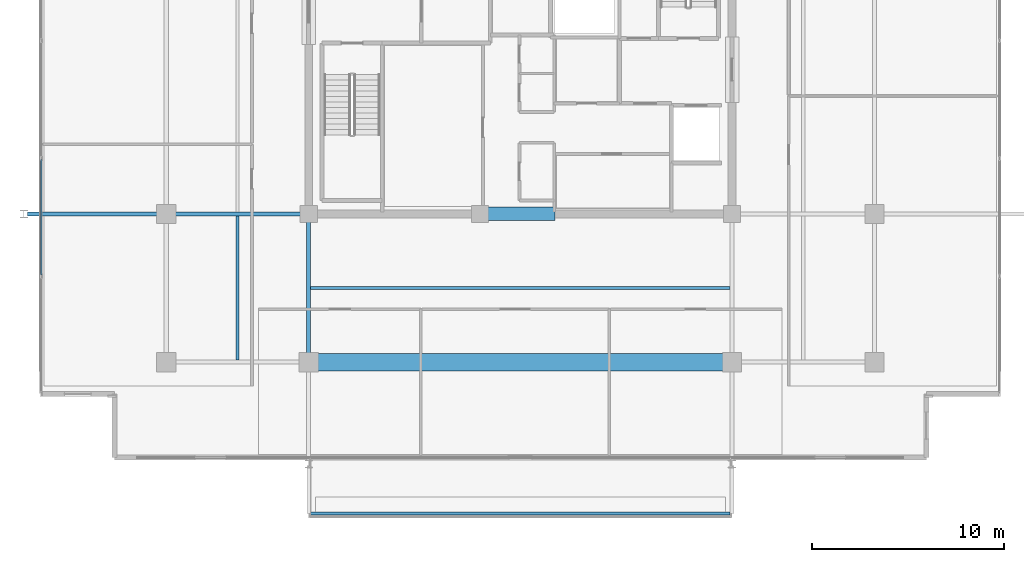
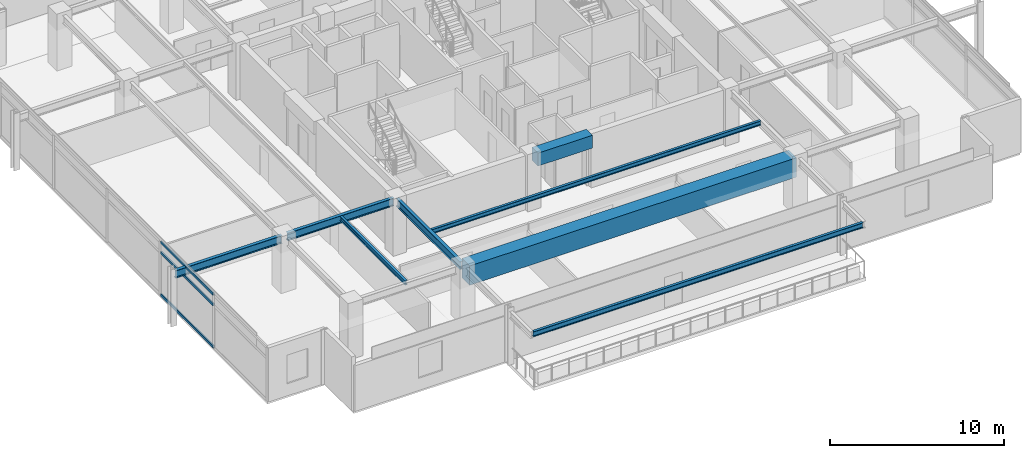
# One storey, part 3 of 20: 8 beams, 3 members, 1 element without a shape of its own.
"""IFC4 building model written with IfcOpenShell, lengths in metres."""

from ifc_helpers import new_model, si_unit, direction, frame, origin, origin_2d, place, context, subcontext, project, spatial, rectangle, hollow_rectangle, i_section, extrude, material, material_profile, profile_set, type_object, element, aggregate, save


model = new_model("IFC4")

# Units and contexts
model_context = context("Model", 3, precision=1e-05, world=origin(), true_north=direction((0.0, 1.0)))
body_context = subcontext(model_context, "Body", "Model", "MODEL_VIEW")
ifc_project = project(units=[si_unit("LENGTHUNIT", "METRE"), si_unit("AREAUNIT", "SQUARE_METRE"), si_unit("VOLUMEUNIT", "CUBIC_METRE"), si_unit("PLANEANGLEUNIT", "RADIAN"), si_unit("MASSUNIT", "GRAM", prefix="KILO")], contexts=[model_context])

# Site, building, storey
site_placement = place(None, origin())
site = spatial("IfcSite", under=ifc_project, at=site_placement, CompositionType="ELEMENT")
building_placement = place(site_placement, origin())
building = spatial("IfcBuilding", under=site, at=building_placement, Name="Kovane Verandah Tower", CompositionType="ELEMENT")
storey_placement = place(building_placement, frame((0.0, 0.0, 322.800048828125)))
storey = spatial("IfcBuildingStorey", under=building, at=storey_placement, Name="L75", CompositionType="ELEMENT", Elevation=322.800048828125)

# Beams
ifc_material_1 = material(Name="Concrete C60/75", Category="concrete")
ifc_material_profile_1 = material_profile(ifc_material_1, rectangle(XDim=0.699951171875, YDim=0.89990234375, at=origin_2d()), Name="RCB700x900")
ifc_profile_set_1 = profile_set([ifc_material_profile_1], Name="Concrete C60/75")
beam_type_1 = type_object("IfcBeamType", Name="BM-LINTEL-700x900", PredefinedType="LINTEL", material=ifc_profile_set_1)
beam_1_placement = place(storey_placement, frame((38.199951171875, 18.5, 3.3349609375), z_axis=(1.0, 0.0, 0.0), x_axis=(0.0, 1.0, 0.0)))
element("IfcBeam", 1, at=beam_1_placement, inside=storey, type_object=beam_type_1, Name="L75 Core Coupling Lintel CL-S", PredefinedType="LINTEL", context=body_context, shape_type="SweptSolid", body=[
    extrude(rectangle(XDim=0.699951171875, YDim=0.89990234375, at=origin_2d()), origin(), (0.0, 0.0, 1.0), 3.60009765625),
])
ifc_material_2 = material(Name="Concrete C80/95", Category="concrete")
ifc_material_profile_2 = material_profile(ifc_material_2, rectangle(XDim=0.89990234375, YDim=1.35009765625, at=origin_2d()), Name="RCB900x1350")
ifc_profile_set_2 = profile_set([ifc_material_profile_2], Name="Concrete C80/95")
beam_type_2 = type_object("IfcBeamType", Name="BM-TR-900x1350", PredefinedType="BEAM", material=ifc_profile_set_2)
beam_2_placement = place(storey_placement, frame((29.179931640625, 10.800048828125, 3.10986328125), z_axis=(1.0, 0.0, 0.0), x_axis=(0.0, 1.0, 0.0)))
element("IfcBeam", 2, at=beam_2_placement, inside=storey, type_object=beam_type_2, Name="L75 Primary Tower Girder G-RS2", PredefinedType="BEAM", context=body_context, shape_type="SweptSolid", body=[
    extrude(rectangle(XDim=0.89990234375, YDim=1.35009765625, at=origin_2d()), origin(), (0.0, 0.0, 1.0), 21.64013671875),
])
ifc_material_3 = material(Name="Steel S355", Category="steel")
ifc_material_profile_3 = material_profile(ifc_material_3, i_section(OverallWidth=0.2119140625, OverallDepth=0.54443359375, WebThickness=0.0126953125, FlangeThickness=0.021240234375, FilletRadius=0.0126953125, at=origin_2d()), Name="UB533x210x122")
ifc_profile_set_3 = profile_set([ifc_material_profile_3], Name="Steel S355")
beam_type_3 = type_object("IfcBeamType", Name="BM-UB533x122", PredefinedType="BEAM", material=ifc_profile_set_3)
beam_3_placement = place(storey_placement, frame((28.820068359375, 18.5, 3.5126953125), z_axis=(-1.0, 0.0, 0.0), x_axis=(0.0, -1.0, 0.0)))
element("IfcBeam", 3, at=beam_3_placement, inside=storey, type_object=beam_type_3, Name="L75 Primary Tower Girder G-W1", PredefinedType="BEAM", context=body_context, shape_type="SweptSolid", body=[
    extrude(i_section(OverallWidth=0.2119140625, OverallDepth=0.54443359375, WebThickness=0.0126953125, FlangeThickness=0.021240234375, FilletRadius=0.0126953125, at=origin_2d()), origin(), (0.0, 0.0, 1.0), 7.0400390625),
])
beam_4_placement = place(storey_placement, frame((29.0, 18.320068359375, 3.5126953125), z_axis=(0.0, -1.0, 0.0), x_axis=(1.0, 0.0, 0.0)))
element("IfcBeam", 4, at=beam_4_placement, inside=storey, type_object=beam_type_3, Name="L75 Primary Tower Girder G-S1", PredefinedType="BEAM", context=body_context, shape_type="SweptSolid", body=[
    extrude(i_section(OverallWidth=0.2119140625, OverallDepth=0.54443359375, WebThickness=0.0126953125, FlangeThickness=0.021240234375, FilletRadius=0.0126953125, at=origin_2d()), origin(), (0.0, 0.0, 1.0), 7.340087890625),
])
beam_5_placement = place(storey_placement, frame((21.419921875, 18.5, 3.48779296875), z_axis=(-1.0, 0.0, 0.0), x_axis=(0.0, -1.0, 0.0)))
element("IfcBeam", 5, at=beam_5_placement, inside=storey, type_object=beam_type_3, Name="L75 Primary Tower Girder G-VW1", PredefinedType="BEAM", context=body_context, shape_type="SweptSolid", body=[
    extrude(i_section(OverallWidth=0.2119140625, OverallDepth=0.54443359375, WebThickness=0.0126953125, FlangeThickness=0.021240234375, FilletRadius=0.0126953125, at=origin_2d()), origin(), (0.0, 0.0, 1.0), 7.0400390625),
])

# Curtain wall, members
ifc_material_4 = material(Name="Champagne Anodised Aluminium Frame with Low-E Clear Laminated Glass", Category="aluminium")
curtain_wall_type = type_object("IfcCurtainWallType", Name="CW-SYS-05-HIGH", PredefinedType="NOTDEFINED", material=ifc_material_4)
curtain_wall_placement = place(storey_placement, origin())
curtain_wall = element("IfcCurtainWall", 6, at=curtain_wall_placement, inside=storey, type_object=curtain_wall_type, Name="L75 W Unitised Curtain Wall", PredefinedType="NOTDEFINED")
ifc_material_5 = material(Name="Champagne Anodised Aluminium 6063-T6", Category="aluminium")
ifc_material_profile_4 = material_profile(ifc_material_5, hollow_rectangle(XDim=0.0849609375, YDim=0.18994140625, WallThickness=0.00390625, at=origin_2d()), Name="AL85x190x4")
ifc_profile_set_4 = profile_set([ifc_material_profile_4], Name="Champagne Anodised Aluminium 6063-T6")
member_type = type_object("IfcMemberType", Name="CW-TRN-85x190", PredefinedType="USERDEFINED", material=ifc_profile_set_4)
member_1_placement = place(storey_placement, frame((15.10009765625, 21.333251953125, 0.050048828125), z_axis=(0.0, -1.0, 0.0), x_axis=(1.0, 0.0, 0.0)))
member_1 = element("IfcMember", 7, at=member_1_placement, type_object=member_type, Name="L75 W Unitised Curtain Wall Transom TB Bay 5", ObjectType="TRANSOM", PredefinedType="USERDEFINED", context=body_context, shape_type="SweptSolid", body=[
    extrude(hollow_rectangle(XDim=0.0849609375, YDim=0.18994140625, WallThickness=0.00390625, at=origin_2d()), origin(), (0.0, 0.0, 1.0), 6.0166015625),
])
member_2_placement = place(storey_placement, frame((15.10009765625, 21.333251953125, 3.0048828125), z_axis=(0.0, -1.0, 0.0), x_axis=(1.0, 0.0, 0.0)))
member_2 = element("IfcMember", 8, at=member_2_placement, type_object=member_type, Name="L75 W Unitised Curtain Wall Transom TM Bay 5", ObjectType="TRANSOM", PredefinedType="USERDEFINED", context=body_context, shape_type="SweptSolid", body=[
    extrude(hollow_rectangle(XDim=0.0849609375, YDim=0.18994140625, WallThickness=0.00390625, at=origin_2d()), origin(), (0.0, 0.0, 1.0), 6.0166015625),
])
member_3_placement = place(storey_placement, frame((15.10009765625, 21.333251953125, 3.73486328125), z_axis=(0.0, -1.0, 0.0), x_axis=(1.0, 0.0, 0.0)))
member_3 = element("IfcMember", 9, at=member_3_placement, type_object=member_type, Name="L75 W Unitised Curtain Wall Transom TT Bay 5", ObjectType="TRANSOM", PredefinedType="USERDEFINED", context=body_context, shape_type="SweptSolid", body=[
    extrude(hollow_rectangle(XDim=0.0849609375, YDim=0.18994140625, WallThickness=0.00390625, at=origin_2d()), origin(), (0.0, 0.0, 1.0), 6.0166015625),
])
aggregate(curtain_wall, [member_1, member_2, member_3])

# Beams
ifc_material_profile_5 = material_profile(ifc_material_3, i_section(OverallWidth=0.1669921875, OverallDepth=0.310302734375, WebThickness=0.0078125, FlangeThickness=0.013671875, FilletRadius=0.0087890625, at=origin_2d()), Name="UB305x165x54")
ifc_profile_set_5 = profile_set([ifc_material_profile_5], Name="Steel S355")
beam_type_4 = type_object("IfcBeamType", Name="JST-UB305x54", PredefinedType="JOIST", material=ifc_profile_set_5)
beam_6_placement = place(storey_placement, frame((29.10400390625, 14.64990234375, 3.629638671875), z_axis=(1.0, 0.0, 0.0), x_axis=(0.0, 1.0, 0.0)))
element("IfcBeam", 10, at=beam_6_placement, inside=storey, type_object=beam_type_4, Name="L75 Secondary Composite Joist J-S1", PredefinedType="JOIST", context=body_context, shape_type="SweptSolid", body=[
    extrude(i_section(OverallWidth=0.1669921875, OverallDepth=0.310302734375, WebThickness=0.0078125, FlangeThickness=0.013671875, FilletRadius=0.0087890625, at=origin_2d()), origin(), (0.0, 0.0, 1.0), 21.7919921875),
])
beam_7_placement = place(storey_placement, frame((25.300048828125, 10.904052734375, 3.629638671875), z_axis=(0.0, 1.0, 0.0), x_axis=(-1.0, 0.0, 0.0)))
element("IfcBeam", 11, at=beam_7_placement, inside=storey, type_object=beam_type_4, Name="L75 Secondary Composite Joist J-SW1", PredefinedType="JOIST", context=body_context, shape_type="SweptSolid", body=[
    extrude(i_section(OverallWidth=0.1669921875, OverallDepth=0.310302734375, WebThickness=0.0078125, FlangeThickness=0.013671875, FilletRadius=0.0087890625, at=origin_2d()), origin(), (0.0, 0.0, 1.0), 7.491943359375),
])
ifc_material_profile_6 = material_profile(ifc_material_3, i_section(OverallWidth=0.173095703125, OverallDepth=0.36328125, WebThickness=0.009033203125, FlangeThickness=0.015625, FilletRadius=0.01025390625, at=origin_2d()), Name="UB356x171x67")
ifc_profile_set_6 = profile_set([ifc_material_profile_6], Name="Steel S355")
beam_type_5 = type_object("IfcBeamType", Name="SPD-UB356x67", PredefinedType="USERDEFINED", material=ifc_profile_set_6)
beam_8_placement = place(storey_placement, frame((29.094482421875, 2.934326171875, 3.578369140625), z_axis=(1.0, 0.0, 0.0), x_axis=(0.0, 1.0, 0.0)))
element("IfcBeam", 12, at=beam_8_placement, inside=storey, type_object=beam_type_5, Name="L75 South Planter Edge Spandrel", ObjectType="SPANDREL", PredefinedType="USERDEFINED", context=body_context, shape_type="SweptSolid", body=[
    extrude(i_section(OverallWidth=0.173095703125, OverallDepth=0.36328125, WebThickness=0.009033203125, FlangeThickness=0.015625, FilletRadius=0.01025390625, at=origin_2d()), origin(), (0.0, 0.0, 1.0), 21.81103515625),
])

save(model, "model.ifc")
